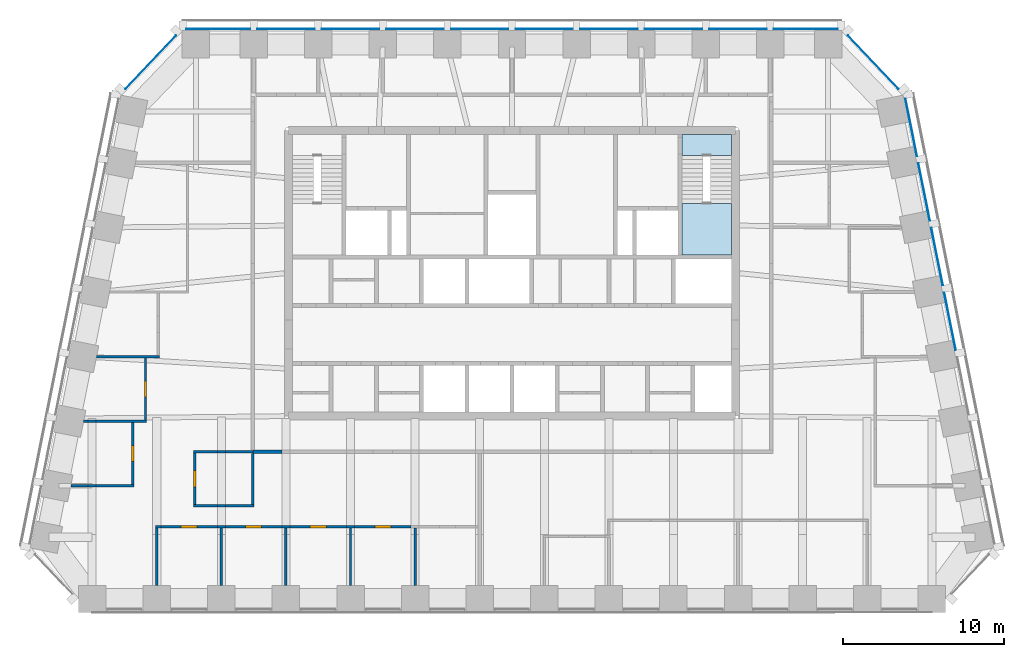
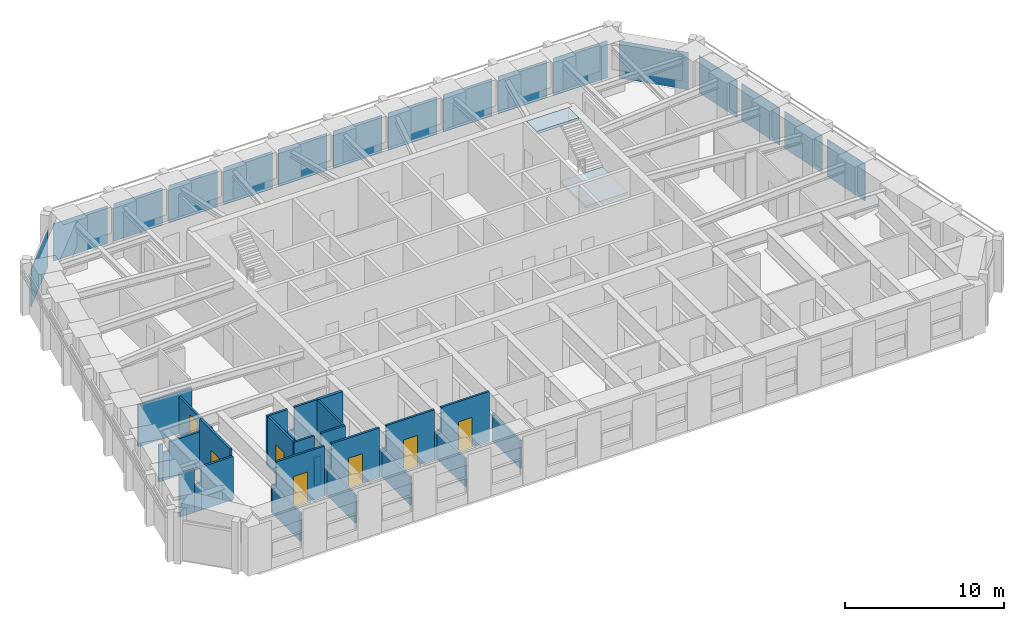
# One storey, part 4 of 12: 31 walls, 16 plates, 7 doors, 2 slabs, 7 openings, 5 elements without a shape of their own.
"""IFC4 building model written with IfcOpenShell, lengths in metres."""

from ifc_helpers import new_model, si_unit, direction, frame, frame_2d, origin, origin_2d, place, context, subcontext, project, spatial, polyline, rectangle, outline, extrude, material, layer, layer_set, type_object, element, fill, aggregate, save


model = new_model("IFC4")

# Units and contexts
model_context = context("Model", 3, precision=1e-05, world=origin(), true_north=direction((0.0, 1.0)))
body_context = subcontext(model_context, "Body", "Model", "MODEL_VIEW")
ifc_project = project(units=[si_unit("LENGTHUNIT", "METRE"), si_unit("AREAUNIT", "SQUARE_METRE"), si_unit("VOLUMEUNIT", "CUBIC_METRE"), si_unit("PLANEANGLEUNIT", "RADIAN"), si_unit("MASSUNIT", "GRAM", prefix="KILO")], contexts=[model_context])

# Site, building, storey
site_placement = place(None, origin())
site = spatial("IfcSite", under=ifc_project, at=site_placement, CompositionType="ELEMENT")
building_placement = place(site_placement, origin())
building = spatial("IfcBuilding", under=site, at=building_placement, Name="Isbrekke Arena Tower", CompositionType="ELEMENT")
storey_placement = place(building_placement, frame((0.0, 0.0, 292.0)))
storey = spatial("IfcBuildingStorey", under=building, at=storey_placement, Name="L68", CompositionType="ELEMENT", Elevation=292.0)

# Curtain wall, plates
ifc_material_1 = material(Name="Glazed aluminium curtain wall", Category="aluminium")
curtain_wall_type = type_object("IfcCurtainWallType", Name="CWT TOWER CURTAIN WALL TOP ZONE", PredefinedType="USERDEFINED", material=ifc_material_1)
curtain_wall_1_placement = place(storey_placement, origin())
curtain_wall_1 = element("IfcCurtainWall", 1, at=curtain_wall_1_placement, inside=storey, type_object=curtain_wall_type, Name="CWT curtain wall L68-E", ObjectType="TOWER CURTAIN WALL TOP ZONE", PredefinedType="USERDEFINED")
ifc_material_2 = material(Name="Triple-glazed clear glass unit", Category="glass")
ifc_layer_1 = layer(ifc_material_2, 0.031982421875)
ifc_layer_set_1 = layer_set([ifc_layer_1], Name="CWT-P VISION PANEL")
plate_type = type_object("IfcPlateType", Name="CWT-P VISION PANEL", PredefinedType="CURTAIN_PANEL", material=ifc_layer_set_1)
plate_1_placement = place(storey_placement, frame((27.12255859375, 12.0244140625, 0.02001953125), z_axis=(0.0, 0.0, 1.0), x_axis=(-0.196116135138, 0.980580675691, 0.0)))
plate_1 = element("IfcPlate", 2, at=plate_1_placement, type_object=plate_type, Name="CWT-P panel 4", PredefinedType="CURTAIN_PANEL", context=body_context, shape_type="SweptSolid", body=[
    extrude(rectangle(XDim=3.629150390625, YDim=0.031982421875, at=origin_2d()), origin(), (0.0, 0.0, 1.0), 2.8798828125),
])
plate_2_placement = place(storey_placement, frame((26.322509765625, 16.0244140625, 0.02001953125), z_axis=(0.0, 0.0, 1.0), x_axis=(-0.196116135138, 0.980580675691, 0.0)))
plate_2 = element("IfcPlate", 3, at=plate_2_placement, type_object=plate_type, Name="CWT-P panel 5", PredefinedType="CURTAIN_PANEL", context=body_context, shape_type="SweptSolid", body=[
    extrude(rectangle(XDim=3.629150390625, YDim=0.031982421875, at=origin_2d()), origin(), (0.0, 0.0, 1.0), 2.8798828125),
])
plate_3_placement = place(storey_placement, frame((25.5224609375, 20.0244140625, 0.02001953125), z_axis=(0.0, 0.0, 1.0), x_axis=(-0.196116135138, 0.980580675691, 0.0)))
plate_3 = element("IfcPlate", 4, at=plate_3_placement, type_object=plate_type, Name="CWT-P panel 6", PredefinedType="CURTAIN_PANEL", context=body_context, shape_type="SweptSolid", body=[
    extrude(rectangle(XDim=3.629150390625, YDim=0.031982421875, at=origin_2d()), origin(), (0.0, 0.0, 1.0), 2.8798828125),
])
plate_4_placement = place(storey_placement, frame((24.72265625, 24.0244140625, 0.02001953125), z_axis=(0.0, 0.0, 1.0), x_axis=(-0.196116135138, 0.980580675691, 0.0)))
plate_4 = element("IfcPlate", 5, at=plate_4_placement, type_object=plate_type, Name="CWT-P panel 7", PredefinedType="CURTAIN_PANEL", context=body_context, shape_type="SweptSolid", body=[
    extrude(rectangle(XDim=3.629150390625, YDim=0.031982421875, at=origin_2d()), origin(), (0.0, 0.0, 1.0), 2.8798828125),
])
aggregate(curtain_wall_1, [plate_1, plate_2, plate_3, plate_4])

# Curtain wall, plate
curtain_wall_2_placement = place(storey_placement, origin())
curtain_wall_2 = element("IfcCurtainWall", 6, at=curtain_wall_2_placement, inside=storey, type_object=curtain_wall_type, Name="CWT curtain wall L68-EN", ObjectType="TOWER CURTAIN WALL TOP ZONE", PredefinedType="USERDEFINED")
plate_5_placement = place(storey_placement, frame((22.374755859375, 28.06640625, 0.02001953125), z_axis=(0.0, 0.0, 1.0), x_axis=(-0.68874946192, 0.72499943359, 0.0)))
plate_5 = element("IfcPlate", 7, at=plate_5_placement, type_object=plate_type, Name="CWT-P panel 1", PredefinedType="CURTAIN_PANEL", context=body_context, shape_type="SweptSolid", body=[
    extrude(rectangle(XDim=4.558349609375, YDim=0.031982421875, at=origin_2d()), origin(), (0.0, 0.0, 1.0), 2.8798828125),
])
aggregate(curtain_wall_2, [plate_5])

# Curtain wall, plates
curtain_wall_3_placement = place(storey_placement, origin())
curtain_wall_3 = element("IfcCurtainWall", 8, at=curtain_wall_3_placement, inside=storey, type_object=curtain_wall_type, Name="CWT curtain wall L68-N", ObjectType="TOWER CURTAIN WALL TOP ZONE", PredefinedType="USERDEFINED")
plate_6_placement = place(storey_placement, frame((18.199951171875, 30.125, 0.02001953125), z_axis=(0.0, 0.0, 1.0), x_axis=(-1.0, 0.0, 0.0)))
plate_6 = element("IfcPlate", 9, at=plate_6_placement, type_object=plate_type, Name="CWT-P panel 1", PredefinedType="CURTAIN_PANEL", context=body_context, shape_type="SweptSolid", body=[
    extrude(rectangle(XDim=3.949951171875, YDim=0.031982421875, at=origin_2d()), origin(), (0.0, 0.0, 1.0), 2.8798828125),
])
plate_7_placement = place(storey_placement, frame((14.0, 30.125, 0.02001953125), z_axis=(0.0, 0.0, 1.0), x_axis=(-1.0, 0.0, 0.0)))
plate_7 = element("IfcPlate", 10, at=plate_7_placement, type_object=plate_type, Name="CWT-P panel 2", PredefinedType="CURTAIN_PANEL", context=body_context, shape_type="SweptSolid", body=[
    extrude(rectangle(XDim=3.550048828125, YDim=0.031982421875, at=origin_2d()), origin(), (0.0, 0.0, 1.0), 2.8798828125),
])
plate_8_placement = place(storey_placement, frame((10.0, 30.125, 0.02001953125), z_axis=(0.0, 0.0, 1.0), x_axis=(-1.0, 0.0, 0.0)))
plate_8 = element("IfcPlate", 11, at=plate_8_placement, type_object=plate_type, Name="CWT-P panel 3", PredefinedType="CURTAIN_PANEL", context=body_context, shape_type="SweptSolid", body=[
    extrude(rectangle(XDim=3.550048828125, YDim=0.031982421875, at=origin_2d()), origin(), (0.0, 0.0, 1.0), 2.8798828125),
])
plate_9_placement = place(storey_placement, frame((6.0, 30.125, 0.02001953125), z_axis=(0.0, 0.0, 1.0), x_axis=(-1.0, 0.0, 0.0)))
plate_9 = element("IfcPlate", 12, at=plate_9_placement, type_object=plate_type, Name="CWT-P panel 4", PredefinedType="CURTAIN_PANEL", context=body_context, shape_type="SweptSolid", body=[
    extrude(rectangle(XDim=3.550048828125, YDim=0.031982421875, at=origin_2d()), origin(), (0.0, 0.0, 1.0), 2.8798828125),
])
plate_10_placement = place(storey_placement, frame((2.0, 30.125, 0.02001953125), z_axis=(0.0, 0.0, 1.0), x_axis=(-1.0, 0.0, 0.0)))
plate_10 = element("IfcPlate", 13, at=plate_10_placement, type_object=plate_type, Name="CWT-P panel 5", PredefinedType="CURTAIN_PANEL", context=body_context, shape_type="SweptSolid", body=[
    extrude(rectangle(XDim=3.550048828125, YDim=0.031982421875, at=origin_2d()), origin(), (0.0, 0.0, 1.0), 2.8798828125),
])
plate_11_placement = place(storey_placement, frame((-2.0, 30.125, 0.02001953125), z_axis=(0.0, 0.0, 1.0), x_axis=(-1.0, 0.0, 0.0)))
plate_11 = element("IfcPlate", 14, at=plate_11_placement, type_object=plate_type, Name="CWT-P panel 6", PredefinedType="CURTAIN_PANEL", context=body_context, shape_type="SweptSolid", body=[
    extrude(rectangle(XDim=3.550048828125, YDim=0.031982421875, at=origin_2d()), origin(), (0.0, 0.0, 1.0), 2.8798828125),
])
plate_12_placement = place(storey_placement, frame((-6.0, 30.125, 0.02001953125), z_axis=(0.0, 0.0, 1.0), x_axis=(-1.0, 0.0, 0.0)))
plate_12 = element("IfcPlate", 15, at=plate_12_placement, type_object=plate_type, Name="CWT-P panel 7", PredefinedType="CURTAIN_PANEL", context=body_context, shape_type="SweptSolid", body=[
    extrude(rectangle(XDim=3.550048828125, YDim=0.031982421875, at=origin_2d()), origin(), (0.0, 0.0, 1.0), 2.8798828125),
])
plate_13_placement = place(storey_placement, frame((-10.0, 30.125, 0.02001953125), z_axis=(0.0, 0.0, 1.0), x_axis=(-1.0, 0.0, 0.0)))
plate_13 = element("IfcPlate", 16, at=plate_13_placement, type_object=plate_type, Name="CWT-P panel 8", PredefinedType="CURTAIN_PANEL", context=body_context, shape_type="SweptSolid", body=[
    extrude(rectangle(XDim=3.550048828125, YDim=0.031982421875, at=origin_2d()), origin(), (0.0, 0.0, 1.0), 2.8798828125),
])
plate_14_placement = place(storey_placement, frame((-14.0, 30.125, 0.02001953125), z_axis=(0.0, 0.0, 1.0), x_axis=(-1.0, 0.0, 0.0)))
plate_14 = element("IfcPlate", 17, at=plate_14_placement, type_object=plate_type, Name="CWT-P panel 9", PredefinedType="CURTAIN_PANEL", context=body_context, shape_type="SweptSolid", body=[
    extrude(rectangle(XDim=3.550048828125, YDim=0.031982421875, at=origin_2d()), origin(), (0.0, 0.0, 1.0), 2.8798828125),
])
plate_15_placement = place(storey_placement, frame((-18.199951171875, 30.125, 0.02001953125), z_axis=(0.0, 0.0, 1.0), x_axis=(-1.0, 0.0, 0.0)))
plate_15 = element("IfcPlate", 18, at=plate_15_placement, type_object=plate_type, Name="CWT-P panel 10", PredefinedType="CURTAIN_PANEL", context=body_context, shape_type="SweptSolid", body=[
    extrude(rectangle(XDim=3.949951171875, YDim=0.031982421875, at=origin_2d()), origin(), (0.0, 0.0, 1.0), 2.8798828125),
])
aggregate(curtain_wall_3, [plate_6, plate_7, plate_8, plate_9, plate_10, plate_11, plate_12, plate_13, plate_14, plate_15])

# Curtain wall, plate
curtain_wall_4_placement = place(storey_placement, origin())
curtain_wall_4 = element("IfcCurtainWall", 19, at=curtain_wall_4_placement, inside=storey, type_object=curtain_wall_type, Name="CWT curtain wall L68-NW", ObjectType="TOWER CURTAIN WALL TOP ZONE", PredefinedType="USERDEFINED")
plate_16_placement = place(storey_placement, frame((-22.37451171875, 28.066650390625, 0.02001953125), z_axis=(0.0, 0.0, 1.0), x_axis=(-0.68874946192, -0.72499943359, 0.0)))
plate_16 = element("IfcPlate", 20, at=plate_16_placement, type_object=plate_type, Name="CWT-P panel 1", PredefinedType="CURTAIN_PANEL", context=body_context, shape_type="SweptSolid", body=[
    extrude(rectangle(XDim=4.557373046875, YDim=0.031982421875, at=origin_2d()), origin(), (0.0, 0.0, 1.0), 2.8798828125),
])
aggregate(curtain_wall_4, [plate_16])

# Stair, slabs
ifc_material_3 = material(Name="Concrete B45 (C45/55) precast", Category="concrete")
stair_type = type_object("IfcStairType", Name="ST40 STAIR 1300 WIDE, 24 RISERS 167", PredefinedType="HALF_TURN_STAIR", material=ifc_material_3)
stair_placement = place(storey_placement, origin())
stair = element("IfcStair", 21, at=stair_placement, inside=storey, type_object=stair_type, Name="ST2 stair L68", PredefinedType="HALF_TURN_STAIR")
ifc_material_4 = material(Name="Concrete B35 (C35/45)", Category="concrete")
ifc_layer_2 = layer(ifc_material_4, 0.199951171875)
ifc_layer_set_2 = layer_set([ifc_layer_2], Name="SL1 STAIR LANDING 200")
slab_type = type_object("IfcSlabType", Name="SL1 STAIR LANDING 200", PredefinedType="LANDING", material=ifc_layer_set_2)
slab_1_placement = place(storey_placement, frame((0.0, 0.0, 1.800048828125)))
slab_1 = element("IfcSlab", 22, at=slab_1_placement, type_object=slab_type, Name="ST2 landing 1", PredefinedType="LANDING", context=body_context, shape_type="SweptSolid", body=[
    extrude(outline(polyline([(10.52490234375, 16.125), (13.60009765625, 16.125), (13.60009765625, 19.330078125), (10.52490234375, 19.330078125), (10.52490234375, 16.125)])), origin(), (0.0, 0.0, 1.0), 0.199951171875),
])
slab_2_placement = place(storey_placement, frame((0.0, 0.0, 3.800048828125)))
slab_2 = element("IfcSlab", 23, at=slab_2_placement, type_object=slab_type, Name="ST2 landing 2", PredefinedType="LANDING", context=body_context, shape_type="SweptSolid", body=[
    extrude(outline(polyline([(10.52490234375, 22.300048828125), (13.60009765625, 22.300048828125), (13.60009765625, 23.60009765625), (10.52490234375, 23.60009765625), (10.52490234375, 22.300048828125)])), origin(), (0.0, 0.0, 1.0), 0.199951171875),
])
aggregate(stair, [slab_1, slab_2])

# Wall
ifc_material_5 = material(Name="Gypsum board partition on steel studs", Category="steel")
ifc_layer_3 = layer(ifc_material_5, 0.14990234375)
ifc_layer_set_3 = layer_set([ifc_layer_3], Name="IW1 PARTITION 150")
wall_type_1 = type_object("IfcWallType", Name="IW1 PARTITION 150", PredefinedType="PARTITIONING", material=ifc_layer_set_3)
wall_1_placement = place(storey_placement, frame((-22.074951171875, -0.699951171875, 0.0), z_axis=(0.0, 0.0, 1.0), x_axis=(1.0, 0.0, 0.0)))
element("IfcWall", 24, at=wall_1_placement, inside=storey, type_object=wall_type_1, Name="IW1 partition 150 L68", PredefinedType="PARTITIONING", context=body_context, shape_type="SweptSolid", body=[
    extrude(rectangle(XDim=0.324951171875, YDim=0.14990234375, at=frame_2d((0.16259765625, 0.0))), origin(), (0.0, 0.0, 1.0), 2.14990234375),
])

# Wall, opening, door
wall_2_placement = place(storey_placement, frame((-21.75, -0.699951171875, 0.0), z_axis=(0.0, 0.0, 1.0), x_axis=(1.0, 0.0, 0.0)))
wall_2 = element("IfcWall", 25, at=wall_2_placement, inside=storey, type_object=wall_type_1, Name="IW1 partition 150 L68", PredefinedType="PARTITIONING", context=body_context, shape_type="SweptSolid", body=[
    extrude(rectangle(XDim=3.5, YDim=0.14990234375, at=frame_2d((1.75, 0.0))), origin(), (0.0, 0.0, 1.0), 3.85009765625),
])
opening_1_placement = place(wall_2_placement, frame((1.25, 0.0, 0.0)))
opening_1 = element("IfcOpeningElement", 26, at=opening_1_placement, cuts=wall_2, Name="Opening D10", PredefinedType="OPENING", context=body_context, shape_type="SweptSolid", body=[
    extrude(rectangle(XDim=1.0, YDim=2.300048828125, at=frame_2d((0.5, 1.14990234375))), frame((0.0, 0.08984375, 0.0), z_axis=(0.0, -1.0, 0.0), x_axis=(1.0, 0.0, 0.0)), (0.0, 0.0, 1.0), 0.1796875),
])
ifc_material_6 = material(Name="Timber door", Category="wood")
door_type = type_object("IfcDoorType", Name="D10 OFFICE DOOR 1000 x 2300", OperationType="SINGLE_SWING_LEFT", PredefinedType="DOOR", material=ifc_material_6)
door_1_placement = place(opening_1_placement, origin())
door_1 = element("IfcDoor", 27, at=door_1_placement, inside=storey, type_object=door_type, Name="D10 office door L68", OperationType="SINGLE_SWING_LEFT", OverallHeight=2.300048828125, OverallWidth=1.0, PredefinedType="DOOR", context=body_context, shape_type="SweptSolid", body=[
    extrude(rectangle(XDim=1.0, YDim=2.300048828125, at=frame_2d((0.5, 1.14990234375))), frame((0.0, 0.07470703125, 0.0), z_axis=(0.0, -1.0, 0.0), x_axis=(1.0, 0.0, 0.0)), (0.0, 0.0, 1.0), 0.1494140625),
])
fill(opening_1, door_1)

# Wall
wall_3_placement = place(storey_placement, frame((-18.25, -0.699951171875, 0.0), z_axis=(0.0, 0.0, 1.0), x_axis=(1.0, 0.0, 0.0)))
element("IfcWall", 28, at=wall_3_placement, inside=storey, type_object=wall_type_1, Name="IW1 partition 150 L68", PredefinedType="PARTITIONING", context=body_context, shape_type="SweptSolid", body=[
    extrude(rectangle(XDim=0.5, YDim=0.14990234375, at=frame_2d((0.25, 0.0))), origin(), (0.0, 0.0, 1.0), 2.14990234375),
])

# Wall, opening, door
wall_4_placement = place(storey_placement, frame((-17.75, -0.699951171875, 0.0), z_axis=(0.0, 0.0, 1.0), x_axis=(1.0, 0.0, 0.0)))
wall_4 = element("IfcWall", 29, at=wall_4_placement, inside=storey, type_object=wall_type_1, Name="IW1 partition 150 L68", PredefinedType="PARTITIONING", context=body_context, shape_type="SweptSolid", body=[
    extrude(rectangle(XDim=3.5, YDim=0.14990234375, at=frame_2d((1.75, 0.0))), origin(), (0.0, 0.0, 1.0), 3.85009765625),
])
opening_2_placement = place(wall_4_placement, frame((1.25, 0.0, 0.0)))
opening_2 = element("IfcOpeningElement", 30, at=opening_2_placement, cuts=wall_4, Name="Opening D10", PredefinedType="OPENING", context=body_context, shape_type="SweptSolid", body=[
    extrude(rectangle(XDim=1.0, YDim=2.300048828125, at=frame_2d((0.5, 1.14990234375))), frame((0.0, 0.08984375, 0.0), z_axis=(0.0, -1.0, 0.0), x_axis=(1.0, 0.0, 0.0)), (0.0, 0.0, 1.0), 0.1796875),
])
door_2_placement = place(opening_2_placement, origin())
door_2 = element("IfcDoor", 31, at=door_2_placement, inside=storey, type_object=door_type, Name="D10 office door L68", OperationType="SINGLE_SWING_LEFT", OverallHeight=2.300048828125, OverallWidth=1.0, PredefinedType="DOOR", context=body_context, shape_type="SweptSolid", body=[
    extrude(rectangle(XDim=1.0, YDim=2.300048828125, at=frame_2d((0.5, 1.14990234375))), frame((0.0, 0.07470703125, 0.0), z_axis=(0.0, -1.0, 0.0), x_axis=(1.0, 0.0, 0.0)), (0.0, 0.0, 1.0), 0.1494140625),
])
fill(opening_2, door_2)

# Wall
wall_5_placement = place(storey_placement, frame((-14.25, -0.699951171875, 0.0), z_axis=(0.0, 0.0, 1.0), x_axis=(1.0, 0.0, 0.0)))
element("IfcWall", 32, at=wall_5_placement, inside=storey, type_object=wall_type_1, Name="IW1 partition 150 L68", PredefinedType="PARTITIONING", context=body_context, shape_type="SweptSolid", body=[
    extrude(rectangle(XDim=0.5, YDim=0.14990234375, at=frame_2d((0.25, 0.0))), origin(), (0.0, 0.0, 1.0), 2.14990234375),
])

# Wall, opening, door
wall_6_placement = place(storey_placement, frame((-13.75, -0.699951171875, 0.0), z_axis=(0.0, 0.0, 1.0), x_axis=(1.0, 0.0, 0.0)))
wall_6 = element("IfcWall", 33, at=wall_6_placement, inside=storey, type_object=wall_type_1, Name="IW1 partition 150 L68", PredefinedType="PARTITIONING", context=body_context, shape_type="SweptSolid", body=[
    extrude(rectangle(XDim=3.5, YDim=0.14990234375, at=frame_2d((1.75, 0.0))), origin(), (0.0, 0.0, 1.0), 3.85009765625),
])
opening_3_placement = place(wall_6_placement, frame((1.25, 0.0, 0.0)))
opening_3 = element("IfcOpeningElement", 34, at=opening_3_placement, cuts=wall_6, Name="Opening D10", PredefinedType="OPENING", context=body_context, shape_type="SweptSolid", body=[
    extrude(rectangle(XDim=1.0, YDim=2.300048828125, at=frame_2d((0.5, 1.14990234375))), frame((0.0, 0.08984375, 0.0), z_axis=(0.0, -1.0, 0.0), x_axis=(1.0, 0.0, 0.0)), (0.0, 0.0, 1.0), 0.1796875),
])
door_3_placement = place(opening_3_placement, origin())
door_3 = element("IfcDoor", 35, at=door_3_placement, inside=storey, type_object=door_type, Name="D10 office door L68", OperationType="SINGLE_SWING_LEFT", OverallHeight=2.300048828125, OverallWidth=1.0, PredefinedType="DOOR", context=body_context, shape_type="SweptSolid", body=[
    extrude(rectangle(XDim=1.0, YDim=2.300048828125, at=frame_2d((0.5, 1.14990234375))), frame((0.0, 0.07470703125, 0.0), z_axis=(0.0, -1.0, 0.0), x_axis=(1.0, 0.0, 0.0)), (0.0, 0.0, 1.0), 0.1494140625),
])
fill(opening_3, door_3)

# Wall
wall_7_placement = place(storey_placement, frame((-10.25, -0.699951171875, 0.0), z_axis=(0.0, 0.0, 1.0), x_axis=(1.0, 0.0, 0.0)))
element("IfcWall", 36, at=wall_7_placement, inside=storey, type_object=wall_type_1, Name="IW1 partition 150 L68", PredefinedType="PARTITIONING", context=body_context, shape_type="SweptSolid", body=[
    extrude(rectangle(XDim=0.5, YDim=0.14990234375, at=frame_2d((0.25, 0.0))), origin(), (0.0, 0.0, 1.0), 2.14990234375),
])

# Wall, opening, door
wall_8_placement = place(storey_placement, frame((-9.75, -0.699951171875, 0.0), z_axis=(0.0, 0.0, 1.0), x_axis=(1.0, 0.0, 0.0)))
wall_8 = element("IfcWall", 37, at=wall_8_placement, inside=storey, type_object=wall_type_1, Name="IW1 partition 150 L68", PredefinedType="PARTITIONING", context=body_context, shape_type="SweptSolid", body=[
    extrude(rectangle(XDim=3.5, YDim=0.14990234375, at=frame_2d((1.75, 0.0))), origin(), (0.0, 0.0, 1.0), 3.85009765625),
])
opening_4_placement = place(wall_8_placement, frame((1.25, 0.0, 0.0)))
opening_4 = element("IfcOpeningElement", 38, at=opening_4_placement, cuts=wall_8, Name="Opening D10", PredefinedType="OPENING", context=body_context, shape_type="SweptSolid", body=[
    extrude(rectangle(XDim=1.0, YDim=2.300048828125, at=frame_2d((0.5, 1.14990234375))), frame((0.0, 0.08984375, 0.0), z_axis=(0.0, -1.0, 0.0), x_axis=(1.0, 0.0, 0.0)), (0.0, 0.0, 1.0), 0.1796875),
])
door_4_placement = place(opening_4_placement, origin())
door_4 = element("IfcDoor", 39, at=door_4_placement, inside=storey, type_object=door_type, Name="D10 office door L68", OperationType="SINGLE_SWING_LEFT", OverallHeight=2.300048828125, OverallWidth=1.0, PredefinedType="DOOR", context=body_context, shape_type="SweptSolid", body=[
    extrude(rectangle(XDim=1.0, YDim=2.300048828125, at=frame_2d((0.5, 1.14990234375))), frame((0.0, 0.07470703125, 0.0), z_axis=(0.0, -1.0, 0.0), x_axis=(1.0, 0.0, 0.0)), (0.0, 0.0, 1.0), 0.1494140625),
])
fill(opening_4, door_4)

# Walls
wall_9_placement = place(storey_placement, frame((-19.72509765625, 0.60009765625, 0.0), z_axis=(0.0, 0.0, 1.0), x_axis=(1.0, 0.0, 0.0)))
element("IfcWall", 40, at=wall_9_placement, inside=storey, type_object=wall_type_1, Name="IW1 partition 150 L68", PredefinedType="PARTITIONING", context=body_context, shape_type="SweptSolid", body=[
    extrude(rectangle(XDim=1.47509765625, YDim=0.14990234375, at=frame_2d((0.737548828125, 0.0))), origin(), (0.0, 0.0, 1.0), 3.85009765625),
])
wall_10_placement = place(storey_placement, frame((-18.25, 0.60009765625, 0.0), z_axis=(0.0, 0.0, 1.0), x_axis=(1.0, 0.0, 0.0)))
element("IfcWall", 41, at=wall_10_placement, inside=storey, type_object=wall_type_1, Name="IW1 partition 150 L68", PredefinedType="PARTITIONING", context=body_context, shape_type="SweptSolid", body=[
    extrude(rectangle(XDim=0.5, YDim=0.14990234375, at=frame_2d((0.25, 0.0))), origin(), (0.0, 0.0, 1.0), 2.14990234375),
])
wall_11_placement = place(storey_placement, frame((-17.75, 0.60009765625, 0.0), z_axis=(0.0, 0.0, 1.0), x_axis=(1.0, 0.0, 0.0)))
element("IfcWall", 42, at=wall_11_placement, inside=storey, type_object=wall_type_1, Name="IW1 partition 150 L68", PredefinedType="PARTITIONING", context=body_context, shape_type="SweptSolid", body=[
    extrude(rectangle(XDim=1.77490234375, YDim=0.14990234375, at=frame_2d((0.887451171875, 0.0))), origin(), (0.0, 0.0, 1.0), 3.85009765625),
])
wall_12_placement = place(storey_placement, frame((-27.32373046875, 1.840087890625, 0.0), z_axis=(0.0, 0.0, 1.0), x_axis=(1.0, 0.0, 0.0)))
element("IfcWall", 43, at=wall_12_placement, inside=storey, type_object=wall_type_1, Name="IW1 partition 150 L68", PredefinedType="PARTITIONING", context=body_context, shape_type="SweptSolid", body=[
    extrude(rectangle(XDim=1.07373046875, YDim=0.14990234375, at=frame_2d((0.536865234375, 0.0))), origin(), (0.0, 0.0, 1.0), 3.325927734375),
])
wall_13_placement = place(storey_placement, frame((-26.25, 1.840087890625, 0.0), z_axis=(0.0, 0.0, 1.0), x_axis=(1.0, 0.0, 0.0)))
element("IfcWall", 44, at=wall_13_placement, inside=storey, type_object=wall_type_1, Name="IW1 partition 150 L68", PredefinedType="PARTITIONING", context=body_context, shape_type="SweptSolid", body=[
    extrude(rectangle(XDim=0.5, YDim=0.14990234375, at=frame_2d((0.25, 0.0))), origin(), (0.0, 0.0, 1.0), 2.14990234375),
])
wall_14_placement = place(storey_placement, frame((-25.75, 1.840087890625, 0.0), z_axis=(0.0, 0.0, 1.0), x_axis=(1.0, 0.0, 0.0)))
element("IfcWall", 45, at=wall_14_placement, inside=storey, type_object=wall_type_1, Name="IW1 partition 150 L68", PredefinedType="PARTITIONING", context=body_context, shape_type="SweptSolid", body=[
    extrude(rectangle(XDim=2.324951171875, YDim=0.14990234375, at=frame_2d((1.16259765625, 0.0))), origin(), (0.0, 0.0, 1.0), 3.325927734375),
])
wall_15_placement = place(storey_placement, frame((-19.72509765625, 3.949951171875, 0.0), z_axis=(0.0, 0.0, 1.0), x_axis=(1.0, 0.0, 0.0)))
element("IfcWall", 46, at=wall_15_placement, inside=storey, type_object=wall_type_1, Name="IW1 partition 150 L68", PredefinedType="PARTITIONING", context=body_context, shape_type="SweptSolid", body=[
    extrude(rectangle(XDim=1.47509765625, YDim=0.14990234375, at=frame_2d((0.737548828125, 0.0))), origin(), (0.0, 0.0, 1.0), 3.85009765625),
])
wall_16_placement = place(storey_placement, frame((-18.25, 3.949951171875, 0.0), z_axis=(0.0, 0.0, 1.0), x_axis=(1.0, 0.0, 0.0)))
element("IfcWall", 47, at=wall_16_placement, inside=storey, type_object=wall_type_1, Name="IW1 partition 150 L68", PredefinedType="PARTITIONING", context=body_context, shape_type="SweptSolid", body=[
    extrude(rectangle(XDim=0.5, YDim=0.14990234375, at=frame_2d((0.25, 0.0))), origin(), (0.0, 0.0, 1.0), 2.14990234375),
])
wall_17_placement = place(storey_placement, frame((-17.75, 3.949951171875, 0.0), z_axis=(0.0, 0.0, 1.0), x_axis=(1.0, 0.0, 0.0)))
element("IfcWall", 48, at=wall_17_placement, inside=storey, type_object=wall_type_1, Name="IW1 partition 150 L68", PredefinedType="PARTITIONING", context=body_context, shape_type="SweptSolid", body=[
    extrude(rectangle(XDim=1.699951171875, YDim=0.14990234375, at=frame_2d((0.85009765625, 0.0))), origin(), (0.0, 0.0, 1.0), 3.85009765625),
])
wall_18_placement = place(storey_placement, frame((-26.523681640625, 5.840087890625, 0.0), z_axis=(0.0, 0.0, 1.0), x_axis=(1.0, 0.0, 0.0)))
element("IfcWall", 49, at=wall_18_placement, inside=storey, type_object=wall_type_1, Name="IW1 partition 150 L68", PredefinedType="PARTITIONING", context=body_context, shape_type="SweptSolid", body=[
    extrude(rectangle(XDim=0.273681640625, YDim=0.14990234375, at=frame_2d((0.13671875, 0.0))), origin(), (0.0, 0.0, 1.0), 2.842041015625),
])
wall_19_placement = place(storey_placement, frame((-26.25, 5.840087890625, 0.0), z_axis=(0.0, 0.0, 1.0), x_axis=(1.0, 0.0, 0.0)))
element("IfcWall", 50, at=wall_19_placement, inside=storey, type_object=wall_type_1, Name="IW1 partition 150 L68", PredefinedType="PARTITIONING", context=body_context, shape_type="SweptSolid", body=[
    extrude(rectangle(XDim=0.5, YDim=0.14990234375, at=frame_2d((0.25, 0.0))), origin(), (0.0, 0.0, 1.0), 2.14990234375),
])
wall_20_placement = place(storey_placement, frame((-25.75, 5.840087890625, 0.0), z_axis=(0.0, 0.0, 1.0), x_axis=(1.0, 0.0, 0.0)))
element("IfcWall", 51, at=wall_20_placement, inside=storey, type_object=wall_type_1, Name="IW1 partition 150 L68", PredefinedType="PARTITIONING", context=body_context, shape_type="SweptSolid", body=[
    extrude(rectangle(XDim=3.125, YDim=0.14990234375, at=frame_2d((1.5625, 0.0))), origin(), (0.0, 0.0, 1.0), 2.842041015625),
])
wall_21_placement = place(storey_placement, frame((-25.723876953125, 9.840087890625, 0.0), z_axis=(0.0, 0.0, 1.0), x_axis=(1.0, 0.0, 0.0)))
element("IfcWall", 52, at=wall_21_placement, inside=storey, type_object=wall_type_1, Name="IW1 partition 150 L68", PredefinedType="PARTITIONING", context=body_context, shape_type="SweptSolid", body=[
    extrude(rectangle(XDim=3.89892578125, YDim=0.14990234375, at=frame_2d((1.949462890625, 0.0))), origin(), (0.0, 0.0, 1.0), 3.22998046875),
])

# Wall, opening, door
wall_22_placement = place(storey_placement, frame((-23.5, 1.9150390625, 0.0), z_axis=(0.0, 0.0, 1.0), x_axis=(0.0, 1.0, 0.0)))
wall_22 = element("IfcWall", 53, at=wall_22_placement, inside=storey, type_object=wall_type_1, Name="IW1 partition 150 L68", PredefinedType="PARTITIONING", context=body_context, shape_type="SweptSolid", body=[
    extrude(rectangle(XDim=3.849853515625, YDim=0.14990234375, at=frame_2d((1.9248046875, 0.0))), origin(), (0.0, 0.0, 1.0), 3.85009765625),
])
opening_5_placement = place(wall_22_placement, frame((1.425048828125, 0.0, 0.0)))
opening_5 = element("IfcOpeningElement", 54, at=opening_5_placement, cuts=wall_22, Name="Opening D10", PredefinedType="OPENING", context=body_context, shape_type="SweptSolid", body=[
    extrude(rectangle(XDim=1.0, YDim=2.300048828125, at=frame_2d((0.5, 1.14990234375))), frame((0.0, 0.08984375, 0.0), z_axis=(0.0, -1.0, 0.0), x_axis=(1.0, 0.0, 0.0)), (0.0, 0.0, 1.0), 0.1796875),
])
door_5_placement = place(opening_5_placement, origin())
door_5 = element("IfcDoor", 55, at=door_5_placement, inside=storey, type_object=door_type, Name="D10 office door L68", OperationType="SINGLE_SWING_LEFT", OverallHeight=2.300048828125, OverallWidth=1.0, PredefinedType="DOOR", context=body_context, shape_type="SweptSolid", body=[
    extrude(rectangle(XDim=1.0, YDim=2.300048828125, at=frame_2d((0.5, 1.14990234375))), frame((0.0, 0.07470703125, 0.0), z_axis=(0.0, -1.0, 0.0), x_axis=(1.0, 0.0, 0.0)), (0.0, 0.0, 1.0), 0.1494140625),
])
fill(opening_5, door_5)

wall_23_placement = place(storey_placement, frame((-22.699951171875, 5.9150390625, 0.0), z_axis=(0.0, 0.0, 1.0), x_axis=(0.0, 1.0, 0.0)))
wall_23 = element("IfcWall", 56, at=wall_23_placement, inside=storey, type_object=wall_type_1, Name="IW1 partition 150 L68", PredefinedType="PARTITIONING", context=body_context, shape_type="SweptSolid", body=[
    extrude(rectangle(XDim=3.849853515625, YDim=0.14990234375, at=frame_2d((1.9248046875, 0.0))), origin(), (0.0, 0.0, 1.0), 2.842041015625),
])
opening_6_placement = place(wall_23_placement, frame((1.425048828125, 0.0, 0.0)))
opening_6 = element("IfcOpeningElement", 57, at=opening_6_placement, cuts=wall_23, Name="Opening D10", PredefinedType="OPENING", context=body_context, shape_type="SweptSolid", body=[
    extrude(rectangle(XDim=1.0, YDim=2.300048828125, at=frame_2d((0.5, 1.14990234375))), frame((0.0, 0.08984375, 0.0), z_axis=(0.0, -1.0, 0.0), x_axis=(1.0, 0.0, 0.0)), (0.0, 0.0, 1.0), 0.1796875),
])
door_6_placement = place(opening_6_placement, origin())
door_6 = element("IfcDoor", 58, at=door_6_placement, inside=storey, type_object=door_type, Name="D10 office door L68", OperationType="SINGLE_SWING_LEFT", OverallHeight=2.300048828125, OverallWidth=1.0, PredefinedType="DOOR", context=body_context, shape_type="SweptSolid", body=[
    extrude(rectangle(XDim=1.0, YDim=2.300048828125, at=frame_2d((0.5, 1.14990234375))), frame((0.0, 0.07470703125, 0.0), z_axis=(0.0, -1.0, 0.0), x_axis=(1.0, 0.0, 0.0)), (0.0, 0.0, 1.0), 0.1494140625),
])
fill(opening_6, door_6)

# Wall
wall_24_placement = place(storey_placement, frame((-22.0, -4.324951171875, 0.0), z_axis=(0.0, 0.0, 1.0), x_axis=(0.0, 1.0, 0.0)))
element("IfcWall", 59, at=wall_24_placement, inside=storey, type_object=wall_type_1, Name="IW1 partition 150 L68", PredefinedType="PARTITIONING", context=body_context, shape_type="SweptSolid", body=[
    extrude(rectangle(XDim=3.550048828125, YDim=0.14990234375, at=frame_2d((1.77490234375, 0.0))), origin(), (0.0, 0.0, 1.0), 2.14990234375),
])

# Wall, opening, door
wall_25_placement = place(storey_placement, frame((-19.64990234375, 0.675048828125, 0.0), z_axis=(0.0, 0.0, 1.0), x_axis=(0.0, 1.0, 0.0)))
wall_25 = element("IfcWall", 60, at=wall_25_placement, inside=storey, type_object=wall_type_1, Name="IW1 partition 150 L68", PredefinedType="PARTITIONING", context=body_context, shape_type="SweptSolid", body=[
    extrude(rectangle(XDim=3.199951171875, YDim=0.14990234375, at=frame_2d((1.60009765625, 0.0))), origin(), (0.0, 0.0, 1.0), 3.85009765625),
])
opening_7_placement = place(wall_25_placement, frame((1.10009765625, 0.0, 0.0)))
opening_7 = element("IfcOpeningElement", 61, at=opening_7_placement, cuts=wall_25, Name="Opening D10", PredefinedType="OPENING", context=body_context, shape_type="SweptSolid", body=[
    extrude(rectangle(XDim=1.0, YDim=2.300048828125, at=frame_2d((0.5, 1.14990234375))), frame((0.0, 0.08984375, 0.0), z_axis=(0.0, -1.0, 0.0), x_axis=(1.0, 0.0, 0.0)), (0.0, 0.0, 1.0), 0.1796875),
])
door_7_placement = place(opening_7_placement, origin())
door_7 = element("IfcDoor", 62, at=door_7_placement, inside=storey, type_object=door_type, Name="D10 pantry door L68", OperationType="SINGLE_SWING_LEFT", OverallHeight=2.300048828125, OverallWidth=1.0, PredefinedType="DOOR", context=body_context, shape_type="SweptSolid", body=[
    extrude(rectangle(XDim=1.0, YDim=2.300048828125, at=frame_2d((0.5, 1.14990234375))), frame((0.0, 0.07470703125, 0.0), z_axis=(0.0, -1.0, 0.0), x_axis=(1.0, 0.0, 0.0)), (0.0, 0.0, 1.0), 0.1494140625),
])
fill(opening_7, door_7)

# Walls
wall_26_placement = place(storey_placement, frame((-18.0, -4.324951171875, 0.0), z_axis=(0.0, 0.0, 1.0), x_axis=(0.0, 1.0, 0.0)))
element("IfcWall", 63, at=wall_26_placement, inside=storey, type_object=wall_type_1, Name="IW1 partition 150 L68", PredefinedType="PARTITIONING", context=body_context, shape_type="SweptSolid", body=[
    extrude(rectangle(XDim=3.550048828125, YDim=0.14990234375, at=frame_2d((1.77490234375, 0.0))), origin(), (0.0, 0.0, 1.0), 2.14990234375),
])
wall_27_placement = place(storey_placement, frame((-16.050048828125, 0.675048828125, 0.0), z_axis=(0.0, 0.0, 1.0), x_axis=(0.0, 1.0, 0.0)))
element("IfcWall", 64, at=wall_27_placement, inside=storey, type_object=wall_type_1, Name="IW1 partition 150 L68", PredefinedType="PARTITIONING", context=body_context, shape_type="SweptSolid", body=[
    extrude(rectangle(XDim=3.175048828125, YDim=0.14990234375, at=frame_2d((1.58740234375, 0.0))), origin(), (0.0, 0.0, 1.0), 3.85009765625),
])
for number, where, z_axis, x_axis, name in (
    (65, (-14.0, -4.324951171875, 0.0), (0.0, 0.0, 1.0), (0.0, 1.0, 0.0), "IW1 partition 150 L68"),
    (66, (-10.0, -4.324951171875, 0.0), (0.0, 0.0, 1.0), (0.0, 1.0, 0.0), "IW1 partition 150 L68"),
    (67, (-6.0, -4.324951171875, 0.0), (0.0, 0.0, 1.0), (0.0, 1.0, 0.0), "IW1 partition 150 L68"),
):
    element("IfcWall", number, at=place(storey_placement, frame(where, z_axis=z_axis, x_axis=x_axis)), inside=storey, type_object=wall_type_1, Name=name, PredefinedType="PARTITIONING", context=body_context, shape_type="SweptSolid", body=[
        extrude(rectangle(XDim=3.550048828125, YDim=0.14990234375, at=frame_2d((1.77490234375, 0.0))), origin(), (0.0, 0.0, 1.0), 2.14990234375),
    ])
ifc_material_7 = material(Name="Gypsum board fire-cell wall on steel studs, two layers each side", Category="steel")
ifc_layer_4 = layer(ifc_material_7, 0.199951171875)
ifc_layer_set_4 = layer_set([ifc_layer_4], Name="IW3 FIRE-CELL WALL 200")
wall_type_2 = type_object("IfcWallType", Name="IW3 FIRE-CELL WALL 200", PredefinedType="PARTITIONING", material=ifc_layer_set_4)
wall_28_placement = place(storey_placement, frame((-16.050048828125, 3.949951171875, 0.0), z_axis=(0.0, 0.0, 1.0), x_axis=(1.0, 0.0, 0.0)))
element("IfcWall", 68, at=wall_28_placement, inside=storey, type_object=wall_type_2, Name="IW3 fire-cell wall 200 L68", PredefinedType="PARTITIONING", context=body_context, shape_type="SweptSolid", body=[
    extrude(rectangle(XDim=1.800048828125, YDim=0.199951171875, at=frame_2d((0.89990234375, 0.0))), origin(), (0.0, 0.0, 1.0), 3.85009765625),
])

save(model, "model.ifc")
